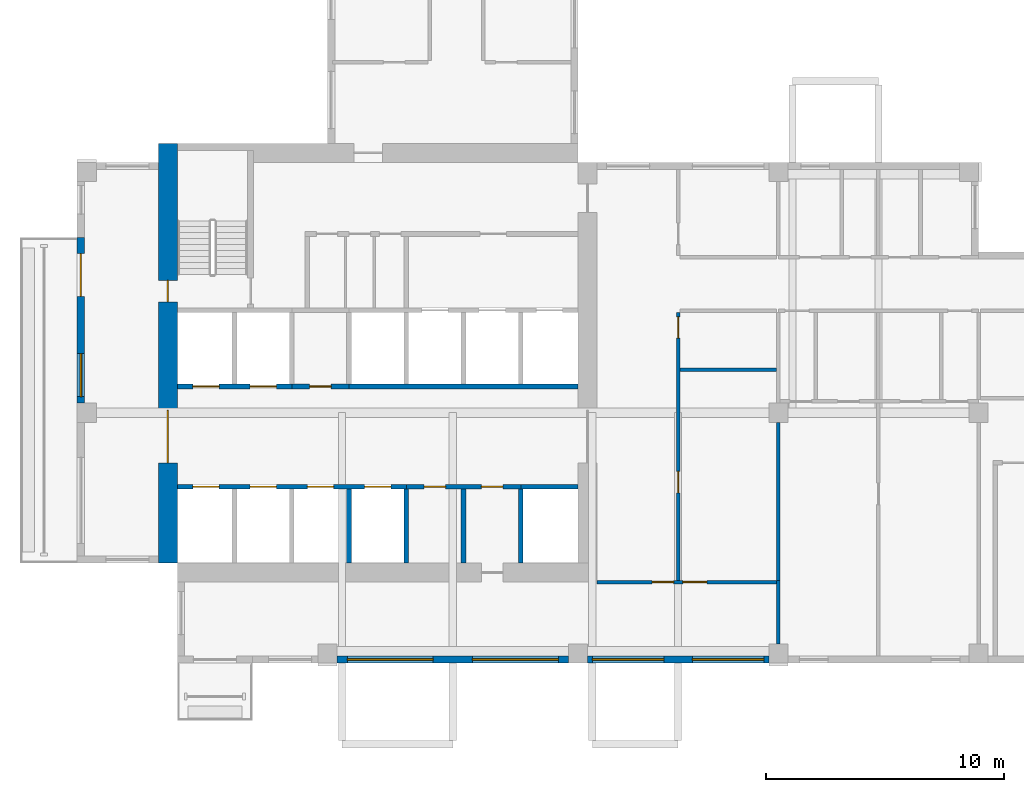
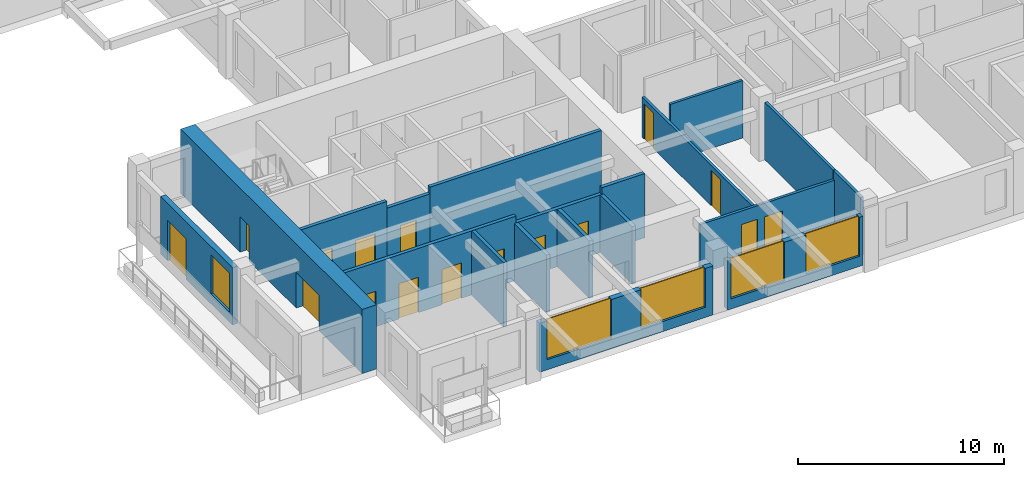
# One storey, part 2 of 12: 19 walls, 16 doors, 5 windows, 21 openings.
"""IFC4 building model written with IfcOpenShell, lengths in metres."""

from ifc_helpers import new_model, si_unit, direction, frame, frame_2d, origin, place, context, subcontext, project, spatial, rectangle, extrude, source, transform, mapped, material, layer, layer_set, type_object, element, fill, save


model = new_model("IFC4")

# Units and contexts
model_context = context("Model", 3, precision=1e-05, world=origin(), true_north=direction((0.0, 1.0)))
body_context = subcontext(model_context, "Body", "Model", "MODEL_VIEW")
ifc_project = project(units=[si_unit("LENGTHUNIT", "METRE"), si_unit("AREAUNIT", "SQUARE_METRE"), si_unit("VOLUMEUNIT", "CUBIC_METRE"), si_unit("PLANEANGLEUNIT", "RADIAN"), si_unit("MASSUNIT", "GRAM", prefix="KILO")], contexts=[model_context])

# Site, building, storey
site_placement = place(None, origin())
site = spatial("IfcSite", under=ifc_project, at=site_placement, CompositionType="ELEMENT")
building_placement = place(site_placement, origin())
building = spatial("IfcBuilding", under=site, at=building_placement, Name="Aurelian Terraces", CompositionType="ELEMENT")
storey_placement = place(building_placement, frame((0.0, 0.0, 238.6)))
storey = spatial("IfcBuildingStorey", under=building, at=storey_placement, Name="L54", CompositionType="ELEMENT", Elevation=238.6)

# Wall, openings, doors
ifc_material_1 = material(Name="Concrete fc' 70 MPa", Category="concrete")
ifc_layer_1 = layer(ifc_material_1, 0.8)
ifc_layer_set_1 = layer_set([ifc_layer_1], Name="CORE WALL 800 FC70")
wall_type_1 = type_object("IfcWallType", Name="CORE WALL 800 FC70", PredefinedType="SHEAR", material=ifc_layer_set_1)
shared_shape_1 = source(origin(), body_context, "Body", "SweptSolid", [
    extrude(rectangle(XDim=17.6, YDim=0.8, at=frame_2d((8.8, 0.0))), origin(), (0.0, 0.0, 1.0), 3.8),
])
wall_1_placement = place(storey_placement, frame((3.8, 4.2, 0.0), z_axis=(0.0, 0.0, 1.0), x_axis=(0.0, 1.0, 0.0)))
wall_1 = element("IfcWall", 1, at=wall_1_placement, inside=storey, type_object=wall_type_1, Name="Core wall W L54", PredefinedType="SHEAR", context=body_context, shape_type="MappedRepresentation", body=[
    mapped(shared_shape_1, transform((0.0, 0.0, 0.0), scale=1.0)),
])
shared_shape_2 = source(origin(), body_context, "Body", "SweptSolid", [
    extrude(rectangle(XDim=2.2, YDim=2.1, at=frame_2d((1.1, 1.05))), frame((0.0, 0.41, 0.0), z_axis=(0.0, -1.0, 0.0), x_axis=(1.0, 0.0, 0.0)), (0.0, 0.0, 1.0), 0.82),
])
opening_1_placement = place(wall_1_placement, frame((4.2, 0.0, 0.0)))
opening_1 = element("IfcOpeningElement", 2, at=opening_1_placement, cuts=wall_1, Name="Opening 65724", PredefinedType="OPENING", context=body_context, shape_type="MappedRepresentation", body=[
    mapped(shared_shape_2, transform((0.0, 0.0, 0.0), scale=1.0)),
])
shared_shape_3 = source(origin(), body_context, "Body", "SweptSolid", [
    extrude(rectangle(XDim=0.9, YDim=2.1, at=frame_2d((0.45, 1.05))), frame((0.0, 0.41, 0.0), z_axis=(0.0, -1.0, 0.0), x_axis=(1.0, 0.0, 0.0)), (0.0, 0.0, 1.0), 0.82),
])
opening_2_placement = place(wall_1_placement, frame((10.95, 0.0, 0.0)))
opening_2 = element("IfcOpeningElement", 3, at=opening_2_placement, cuts=wall_1, Name="Opening 65728", PredefinedType="OPENING", context=body_context, shape_type="MappedRepresentation", body=[
    mapped(shared_shape_3, transform((0.0, 0.0, 0.0), scale=1.0)),
])
ifc_material_2 = material(Name="Steel door leaf", Category="steel")
door_type_1 = type_object("IfcDoorType", Name="Core service door 900x2100", OperationType="SINGLE_SWING_LEFT", PredefinedType="DOOR", material=ifc_material_2)
shared_shape_4 = source(origin(), body_context, "Body", "SweptSolid", [
    extrude(rectangle(XDim=0.9, YDim=2.1, at=frame_2d((0.45, 1.05))), frame((0.0, 0.025, 0.0), z_axis=(0.0, -1.0, 0.0), x_axis=(1.0, 0.0, 0.0)), (0.0, 0.0, 1.0), 0.05),
])
door_1_placement = place(opening_2_placement, origin())
door_1 = element("IfcDoor", 4, at=door_1_placement, inside=storey, type_object=door_type_1, Name="Core door 65728", OperationType="SINGLE_SWING_LEFT", OverallHeight=2.1, OverallWidth=0.9, PredefinedType="DOOR", context=body_context, shape_type="MappedRepresentation", body=[
    mapped(shared_shape_4, transform((0.0, 0.0, 0.0), scale=1.0)),
])
fill(opening_2, door_1)
door_type_2 = type_object("IfcDoorType", Name="Core double door 2200x2100", OperationType="DOUBLE_DOOR_SINGLE_SWING", PredefinedType="DOOR", material=ifc_material_2)
shared_shape_5 = source(origin(), body_context, "Body", "SweptSolid", [
    extrude(rectangle(XDim=2.2, YDim=2.1, at=frame_2d((1.1, 1.05))), frame((0.0, 0.025, 0.0), z_axis=(0.0, -1.0, 0.0), x_axis=(1.0, 0.0, 0.0)), (0.0, 0.0, 1.0), 0.05),
])
door_2_placement = place(opening_1_placement, origin())
door_2 = element("IfcDoor", 5, at=door_2_placement, inside=storey, type_object=door_type_2, Name="Core door 65724", OperationType="DOUBLE_DOOR_SINGLE_SWING", OverallHeight=2.1, OverallWidth=2.2, PredefinedType="DOOR", context=body_context, shape_type="MappedRepresentation", body=[
    mapped(shared_shape_5, transform((0.0, 0.0, 0.0), scale=1.0)),
])
fill(opening_1, door_2)

# Wall, openings, windows
ifc_material_3 = material(Name="Terracotta rainscreen cladding", Category="masonry")
ifc_layer_2 = layer(ifc_material_3, 0.3)
ifc_layer_set_2 = layer_set([ifc_layer_2], Name="EW-300")
wall_type_2 = type_object("IfcWallType", Name="EW-300", PredefinedType="STANDARD", material=ifc_layer_set_2)
shared_shape_6 = source(origin(), body_context, "Body", "SweptSolid", [
    extrude(rectangle(XDim=7.6, YDim=0.3, at=frame_2d((3.8, 0.0))), origin(), (0.0, 0.0, 1.0), 2.9),
])
wall_2_placement = place(storey_placement, frame((21.4, 0.15, 0.0), z_axis=(0.0, 0.0, 1.0), x_axis=(1.0, 0.0, 0.0)))
wall_2 = element("IfcWall", 6, at=wall_2_placement, inside=storey, type_object=wall_type_2, Name="External wall L54 F01.4", PredefinedType="STANDARD", context=body_context, shape_type="MappedRepresentation", body=[
    mapped(shared_shape_6, transform((0.0, 0.0, 0.0), scale=1.0)),
])
shared_shape_7 = source(origin(), body_context, "Body", "SweptSolid", [
    extrude(rectangle(XDim=3.0, YDim=2.3, at=frame_2d((1.5, 1.15))), frame((0.0, 0.16, 0.0), z_axis=(0.0, -1.0, 0.0), x_axis=(1.0, 0.0, 0.0)), (0.0, 0.0, 1.0), 0.32),
])
opening_3_placement = place(wall_2_placement, frame((0.2, 0.0, 0.6)))
opening_3 = element("IfcOpeningElement", 7, at=opening_3_placement, cuts=wall_2, Name="Opening W3023", PredefinedType="OPENING", context=body_context, shape_type="MappedRepresentation", body=[
    mapped(shared_shape_7, transform((0.0, 0.0, 0.0), scale=1.0)),
])
opening_4_placement = place(wall_2_placement, frame((4.4, 0.0, 0.6)))
opening_4 = element("IfcOpeningElement", 8, at=opening_4_placement, cuts=wall_2, Name="Opening W3023", PredefinedType="OPENING", context=body_context, shape_type="MappedRepresentation", body=[
    mapped(shared_shape_7, transform((0.0, 0.0, 0.0), scale=1.0)),
])
ifc_material_4 = material(Name="Clear glazing", Category="glass")
window_type_1 = type_object("IfcWindowType", Name="W-3000x2300", PartitioningType="SINGLE_PANEL", PredefinedType="WINDOW", material=ifc_material_4)
shared_shape_8 = source(origin(), body_context, "Body", "SweptSolid", [
    extrude(rectangle(XDim=3.0, YDim=2.3, at=frame_2d((1.5, 1.15))), frame((0.0, 0.03, 0.0), z_axis=(0.0, -1.0, 0.0), x_axis=(1.0, 0.0, 0.0)), (0.0, 0.0, 1.0), 0.06),
])
window_1_placement = place(opening_3_placement, origin())
window_1 = element("IfcWindow", 9, at=window_1_placement, inside=storey, type_object=window_type_1, Name="Window L54 L54-F01-04-0", OverallHeight=2.3, OverallWidth=3.0, PartitioningType="SINGLE_PANEL", PredefinedType="WINDOW", context=body_context, shape_type="MappedRepresentation", body=[
    mapped(shared_shape_8, transform((0.0, 0.0, 0.0), scale=1.0)),
])
fill(opening_3, window_1)
window_2_placement = place(opening_4_placement, origin())
window_2 = element("IfcWindow", 10, at=window_2_placement, inside=storey, type_object=window_type_1, Name="Window L54 L54-F01-04-1", OverallHeight=2.3, OverallWidth=3.0, PartitioningType="SINGLE_PANEL", PredefinedType="WINDOW", context=body_context, shape_type="MappedRepresentation", body=[
    mapped(shared_shape_8, transform((0.0, 0.0, 0.0), scale=1.0)),
])
fill(opening_4, window_2)

shared_shape_9 = source(origin(), body_context, "Body", "SweptSolid", [
    extrude(rectangle(XDim=9.7, YDim=0.3, at=frame_2d((4.85, 0.0))), origin(), (0.0, 0.0, 1.0), 2.9),
])
wall_3_placement = place(storey_placement, frame((10.9, 0.15, 0.0), z_axis=(0.0, 0.0, 1.0), x_axis=(1.0, 0.0, 0.0)))
wall_3 = element("IfcWall", 11, at=wall_3_placement, inside=storey, type_object=wall_type_2, Name="External wall L54 F01.3", PredefinedType="STANDARD", context=body_context, shape_type="MappedRepresentation", body=[
    mapped(shared_shape_9, transform((0.0, 0.0, 0.0), scale=1.0)),
])
shared_shape_10 = source(origin(), body_context, "Body", "SweptSolid", [
    extrude(rectangle(XDim=3.6, YDim=2.3, at=frame_2d((1.8, 1.15))), frame((0.0, 0.16, 0.0), z_axis=(0.0, -1.0, 0.0), x_axis=(1.0, 0.0, 0.0)), (0.0, 0.0, 1.0), 0.32),
])
opening_5_placement = place(wall_3_placement, frame((0.425, 0.0, 0.6)))
opening_5 = element("IfcOpeningElement", 12, at=opening_5_placement, cuts=wall_3, Name="Opening W3623", PredefinedType="OPENING", context=body_context, shape_type="MappedRepresentation", body=[
    mapped(shared_shape_10, transform((0.0, 0.0, 0.0), scale=1.0)),
])
opening_6_placement = place(wall_3_placement, frame((5.675, 0.0, 0.6)))
opening_6 = element("IfcOpeningElement", 13, at=opening_6_placement, cuts=wall_3, Name="Opening W3623", PredefinedType="OPENING", context=body_context, shape_type="MappedRepresentation", body=[
    mapped(shared_shape_10, transform((0.0, 0.0, 0.0), scale=1.0)),
])
window_type_2 = type_object("IfcWindowType", Name="W-3600x2300", PartitioningType="SINGLE_PANEL", PredefinedType="WINDOW", material=ifc_material_4)
shared_shape_11 = source(origin(), body_context, "Body", "SweptSolid", [
    extrude(rectangle(XDim=3.6, YDim=2.3, at=frame_2d((1.8, 1.15))), frame((0.0, 0.03, 0.0), z_axis=(0.0, -1.0, 0.0), x_axis=(1.0, 0.0, 0.0)), (0.0, 0.0, 1.0), 0.06),
])
window_3_placement = place(opening_5_placement, origin())
window_3 = element("IfcWindow", 14, at=window_3_placement, inside=storey, type_object=window_type_2, Name="Window L54 L54-F01-03-0", OverallHeight=2.3, OverallWidth=3.6, PartitioningType="SINGLE_PANEL", PredefinedType="WINDOW", context=body_context, shape_type="MappedRepresentation", body=[
    mapped(shared_shape_11, transform((0.0, 0.0, 0.0), scale=1.0)),
])
fill(opening_5, window_3)
window_4_placement = place(opening_6_placement, origin())
window_4 = element("IfcWindow", 15, at=window_4_placement, inside=storey, type_object=window_type_2, Name="Window L54 L54-F01-03-1", OverallHeight=2.3, OverallWidth=3.6, PartitioningType="SINGLE_PANEL", PredefinedType="WINDOW", context=body_context, shape_type="MappedRepresentation", body=[
    mapped(shared_shape_11, transform((0.0, 0.0, 0.0), scale=1.0)),
])
fill(opening_6, window_4)

# Wall, openings, door, window
shared_shape_12 = source(origin(), body_context, "Body", "SweptSolid", [
    extrude(rectangle(XDim=6.95, YDim=0.3, at=frame_2d((3.475, 0.0))), origin(), (0.0, 0.0, 1.0), 3.4),
])
wall_4_placement = place(storey_placement, frame((0.15, 17.85, 0.0), z_axis=(0.0, 0.0, 1.0), x_axis=(0.0, -1.0, 0.0)))
wall_4 = element("IfcWall", 16, at=wall_4_placement, inside=storey, type_object=wall_type_2, Name="External wall L54 F22.38", PredefinedType="STANDARD", context=body_context, shape_type="MappedRepresentation", body=[
    mapped(shared_shape_12, transform((0.0, 0.0, 0.0), scale=1.0)),
])
shared_shape_13 = source(origin(), body_context, "Body", "SweptSolid", [
    extrude(rectangle(XDim=1.8, YDim=2.4, at=frame_2d((0.9, 1.2))), frame((0.0, 0.16, 0.0), z_axis=(0.0, -1.0, 0.0), x_axis=(1.0, 0.0, 0.0)), (0.0, 0.0, 1.0), 0.32),
])
opening_7_placement = place(wall_4_placement, frame((0.675, 0.0, 0.0)))
opening_7 = element("IfcOpeningElement", 17, at=opening_7_placement, cuts=wall_4, Name="Opening 85405", PredefinedType="OPENING", context=body_context, shape_type="MappedRepresentation", body=[
    mapped(shared_shape_13, transform((0.0, 0.0, 0.0), scale=1.0)),
])
shared_shape_14 = source(origin(), body_context, "Body", "SweptSolid", [
    extrude(rectangle(XDim=1.8, YDim=2.3, at=frame_2d((0.9, 1.15))), frame((0.0, 0.16, 0.0), z_axis=(0.0, -1.0, 0.0), x_axis=(1.0, 0.0, 0.0)), (0.0, 0.0, 1.0), 0.32),
])
opening_8_placement = place(wall_4_placement, frame((4.875, 0.0, 0.6)))
opening_8 = element("IfcOpeningElement", 18, at=opening_8_placement, cuts=wall_4, Name="Opening W1823", PredefinedType="OPENING", context=body_context, shape_type="MappedRepresentation", body=[
    mapped(shared_shape_14, transform((0.0, 0.0, 0.0), scale=1.0)),
])
door_type_3 = type_object("IfcDoorType", Name="BD-1800x2400", OperationType="SLIDING_TO_LEFT", PredefinedType="DOOR", material=ifc_material_4)
shared_shape_15 = source(origin(), body_context, "Body", "SweptSolid", [
    extrude(rectangle(XDim=1.8, YDim=2.4, at=frame_2d((0.9, 1.2))), frame((0.0, 0.025, 0.0), z_axis=(0.0, -1.0, 0.0), x_axis=(1.0, 0.0, 0.0)), (0.0, 0.0, 1.0), 0.05),
])
door_3_placement = place(opening_7_placement, origin())
door_3 = element("IfcDoor", 19, at=door_3_placement, inside=storey, type_object=door_type_3, Name="Balcony door L54 F22.38", OperationType="SLIDING_TO_LEFT", OverallHeight=2.4, OverallWidth=1.8, PredefinedType="DOOR", context=body_context, shape_type="MappedRepresentation", body=[
    mapped(shared_shape_15, transform((0.0, 0.0, 0.0), scale=1.0)),
])
fill(opening_7, door_3)
window_type_3 = type_object("IfcWindowType", Name="W-1800x2300", PartitioningType="SINGLE_PANEL", PredefinedType="WINDOW", material=ifc_material_4)
shared_shape_16 = source(origin(), body_context, "Body", "SweptSolid", [
    extrude(rectangle(XDim=1.8, YDim=2.3, at=frame_2d((0.9, 1.15))), frame((0.0, 0.03, 0.0), z_axis=(0.0, -1.0, 0.0), x_axis=(1.0, 0.0, 0.0)), (0.0, 0.0, 1.0), 0.06),
])
window_5_placement = place(opening_8_placement, origin())
window_5 = element("IfcWindow", 20, at=window_5_placement, inside=storey, type_object=window_type_3, Name="Window L54 L54-F22-38-1", OverallHeight=2.3, OverallWidth=1.8, PartitioningType="SINGLE_PANEL", PredefinedType="WINDOW", context=body_context, shape_type="MappedRepresentation", body=[
    mapped(shared_shape_16, transform((0.0, 0.0, 0.0), scale=1.0)),
])
fill(opening_8, window_5)

# Walls
ifc_material_5 = material(Name="Concrete fc' 40 MPa", Category="concrete")
ifc_layer_3 = layer(ifc_material_5, 0.2)
ifc_layer_set_3 = layer_set([ifc_layer_3], Name="Lift shaft wall 200")
wall_type_3 = type_object("IfcWallType", Name="Lift shaft wall 200", PredefinedType="SOLIDWALL", material=ifc_layer_set_3)
shared_shape_17 = source(origin(), body_context, "Body", "SweptSolid", [
    extrude(rectangle(XDim=3.1, YDim=0.2, at=frame_2d((1.55, 0.0))), origin(), (0.0, 0.0, 1.0), 3.8),
])
wall_5_placement = place(storey_placement, frame((11.4, 4.2, 0.0), z_axis=(0.0, 0.0, 1.0), x_axis=(0.0, 1.0, 0.0)))
element("IfcWall", 21, at=wall_5_placement, inside=storey, type_object=wall_type_3, Name="L54 core wall CD-A3", PredefinedType="SOLIDWALL", context=body_context, shape_type="MappedRepresentation", body=[
    mapped(shared_shape_17, transform((0.0, 0.0, 0.0), scale=1.0)),
])
shared_shape_18 = source(origin(), body_context, "Body", "SweptSolid", [
    extrude(rectangle(XDim=3.1, YDim=0.2, at=frame_2d((1.55, 0.0))), origin(), (0.0, 0.0, 1.0), 3.4),
])
for number, where, z_axis, x_axis, name in (
    (22, (13.8, 4.2, 0.0), (0.0, 0.0, 1.0), (0.0, 1.0, 0.0), "L54 core wall CD-A4"),
    (23, (18.6, 4.2, 0.0), (0.0, 0.0, 1.0), (0.0, 1.0, 0.0), "L54 core wall CD-A6"),
):
    element("IfcWall", number, at=place(storey_placement, frame(where, z_axis=z_axis, x_axis=x_axis)), inside=storey, type_object=wall_type_3, Name=name, PredefinedType="SOLIDWALL", context=body_context, shape_type="MappedRepresentation", body=[
        mapped(shared_shape_18, transform((0.0, 0.0, 0.0), scale=1.0)),
    ])

# Wall, openings, doors
shared_shape_19 = source(origin(), body_context, "Body", "SweptSolid", [
    extrude(rectangle(XDim=9.6, YDim=0.2, at=frame_2d((4.8, 0.0))), origin(), (0.0, 0.0, 1.0), 3.8),
])
wall_6_placement = place(storey_placement, frame((4.2, 7.4, 0.0), z_axis=(0.0, 0.0, 1.0), x_axis=(1.0, 0.0, 0.0)))
wall_6 = element("IfcWall", 24, at=wall_6_placement, inside=storey, type_object=wall_type_3, Name="L54 core wall CF-AF1", PredefinedType="SOLIDWALL", context=body_context, shape_type="MappedRepresentation", body=[
    mapped(shared_shape_19, transform((0.0, 0.0, 0.0), scale=1.0)),
])
shared_shape_20 = source(origin(), body_context, "Body", "SweptSolid", [
    extrude(rectangle(XDim=1.1, YDim=2.1, at=frame_2d((0.55, 1.05))), frame((0.0, 0.11, 0.0), z_axis=(0.0, -1.0, 0.0), x_axis=(1.0, 0.0, 0.0)), (0.0, 0.0, 1.0), 0.22),
])
opening_9_placement = place(wall_6_placement, frame((0.65, 0.0, 0.0)))
opening_9 = element("IfcOpeningElement", 25, at=opening_9_placement, cuts=wall_6, Name="Opening 65700", PredefinedType="OPENING", context=body_context, shape_type="MappedRepresentation", body=[
    mapped(shared_shape_20, transform((0.0, 0.0, 0.0), scale=1.0)),
])
opening_10_placement = place(wall_6_placement, frame((3.05, 0.0, 0.0)))
opening_10 = element("IfcOpeningElement", 26, at=opening_10_placement, cuts=wall_6, Name="Opening 65701", PredefinedType="OPENING", context=body_context, shape_type="MappedRepresentation", body=[
    mapped(shared_shape_20, transform((0.0, 0.0, 0.0), scale=1.0)),
])
opening_11_placement = place(wall_6_placement, frame((5.45, 0.0, 0.0)))
opening_11 = element("IfcOpeningElement", 27, at=opening_11_placement, cuts=wall_6, Name="Opening 65702", PredefinedType="OPENING", context=body_context, shape_type="MappedRepresentation", body=[
    mapped(shared_shape_20, transform((0.0, 0.0, 0.0), scale=1.0)),
])
opening_12_placement = place(wall_6_placement, frame((7.85, 0.0, 0.0)))
opening_12 = element("IfcOpeningElement", 28, at=opening_12_placement, cuts=wall_6, Name="Opening 65703", PredefinedType="OPENING", context=body_context, shape_type="MappedRepresentation", body=[
    mapped(shared_shape_20, transform((0.0, 0.0, 0.0), scale=1.0)),
])
ifc_material_6 = material(Name="Stainless steel", Category="steel")
door_type_4 = type_object("IfcDoorType", Name="Lift landing door 1100x2100", OperationType="SLIDING_TO_LEFT", PredefinedType="DOOR", material=ifc_material_6)
shared_shape_21 = source(origin(), body_context, "Body", "SweptSolid", [
    extrude(rectangle(XDim=1.1, YDim=2.1, at=frame_2d((0.55, 1.05))), frame((0.0, 0.025, 0.0), z_axis=(0.0, -1.0, 0.0), x_axis=(1.0, 0.0, 0.0)), (0.0, 0.0, 1.0), 0.05),
])
door_4_placement = place(opening_9_placement, origin())
door_4 = element("IfcDoor", 29, at=door_4_placement, inside=storey, type_object=door_type_4, Name="Lift landing door LM1 L54", OperationType="SLIDING_TO_LEFT", OverallHeight=2.1, OverallWidth=1.1, PredefinedType="DOOR", context=body_context, shape_type="MappedRepresentation", body=[
    mapped(shared_shape_21, transform((0.0, 0.0, 0.0), scale=1.0)),
])
fill(opening_9, door_4)
door_5_placement = place(opening_10_placement, origin())
door_5 = element("IfcDoor", 30, at=door_5_placement, inside=storey, type_object=door_type_4, Name="Lift landing door LM2 L54", OperationType="SLIDING_TO_LEFT", OverallHeight=2.1, OverallWidth=1.1, PredefinedType="DOOR", context=body_context, shape_type="MappedRepresentation", body=[
    mapped(shared_shape_21, transform((0.0, 0.0, 0.0), scale=1.0)),
])
fill(opening_10, door_5)
door_6_placement = place(opening_11_placement, origin())
door_6 = element("IfcDoor", 31, at=door_6_placement, inside=storey, type_object=door_type_4, Name="Lift landing door LM3 L54", OperationType="SLIDING_TO_LEFT", OverallHeight=2.1, OverallWidth=1.1, PredefinedType="DOOR", context=body_context, shape_type="MappedRepresentation", body=[
    mapped(shared_shape_21, transform((0.0, 0.0, 0.0), scale=1.0)),
])
fill(opening_11, door_6)
door_7_placement = place(opening_12_placement, origin())
door_7 = element("IfcDoor", 32, at=door_7_placement, inside=storey, type_object=door_type_4, Name="Lift landing door LM4 L54", OperationType="SLIDING_TO_LEFT", OverallHeight=2.1, OverallWidth=1.1, PredefinedType="DOOR", context=body_context, shape_type="MappedRepresentation", body=[
    mapped(shared_shape_21, transform((0.0, 0.0, 0.0), scale=1.0)),
])
fill(opening_12, door_7)

# Wall
wall_7_placement = place(storey_placement, frame((11.4, 11.6, 0.0), z_axis=(0.0, 0.0, 1.0), x_axis=(1.0, 0.0, 0.0)))
element("IfcWall", 33, at=wall_7_placement, inside=storey, type_object=wall_type_3, Name="L54 core wall CF-BF3", PredefinedType="SOLIDWALL", context=body_context, shape_type="MappedRepresentation", body=[
    mapped(shared_shape_19, transform((0.0, 0.0, 0.0), scale=1.0)),
])

# Wall, openings, doors
shared_shape_22 = source(origin(), body_context, "Body", "SweptSolid", [
    extrude(rectangle(XDim=4.8, YDim=0.2, at=frame_2d((2.4, 0.0))), origin(), (0.0, 0.0, 1.0), 3.8),
])
wall_8_placement = place(storey_placement, frame((4.2, 11.6, 0.0), z_axis=(0.0, 0.0, 1.0), x_axis=(1.0, 0.0, 0.0)))
wall_8 = element("IfcWall", 34, at=wall_8_placement, inside=storey, type_object=wall_type_3, Name="L54 core wall CF-BF1", PredefinedType="SOLIDWALL", context=body_context, shape_type="MappedRepresentation", body=[
    mapped(shared_shape_22, transform((0.0, 0.0, 0.0), scale=1.0)),
])
opening_13_placement = place(wall_8_placement, frame((0.65, 0.0, 0.0)))
opening_13 = element("IfcOpeningElement", 35, at=opening_13_placement, cuts=wall_8, Name="Opening 65706", PredefinedType="OPENING", context=body_context, shape_type="MappedRepresentation", body=[
    mapped(shared_shape_20, transform((0.0, 0.0, 0.0), scale=1.0)),
])
opening_14_placement = place(wall_8_placement, frame((3.05, 0.0, 0.0)))
opening_14 = element("IfcOpeningElement", 36, at=opening_14_placement, cuts=wall_8, Name="Opening 65707", PredefinedType="OPENING", context=body_context, shape_type="MappedRepresentation", body=[
    mapped(shared_shape_20, transform((0.0, 0.0, 0.0), scale=1.0)),
])
door_8_placement = place(opening_13_placement, origin())
door_8 = element("IfcDoor", 37, at=door_8_placement, inside=storey, type_object=door_type_4, Name="Lift landing door LM5 L54", OperationType="SLIDING_TO_LEFT", OverallHeight=2.1, OverallWidth=1.1, PredefinedType="DOOR", context=body_context, shape_type="MappedRepresentation", body=[
    mapped(shared_shape_21, transform((0.0, 0.0, 0.0), scale=1.0)),
])
fill(opening_13, door_8)
door_9_placement = place(opening_14_placement, origin())
door_9 = element("IfcDoor", 38, at=door_9_placement, inside=storey, type_object=door_type_4, Name="Lift landing door LM6 L54", OperationType="SLIDING_TO_LEFT", OverallHeight=2.1, OverallWidth=1.1, PredefinedType="DOOR", context=body_context, shape_type="MappedRepresentation", body=[
    mapped(shared_shape_21, transform((0.0, 0.0, 0.0), scale=1.0)),
])
fill(opening_14, door_9)

# Wall, opening, door
shared_shape_23 = source(origin(), body_context, "Body", "SweptSolid", [
    extrude(rectangle(XDim=2.4, YDim=0.2, at=frame_2d((1.2, 0.0))), origin(), (0.0, 0.0, 1.0), 3.4),
])
wall_9_placement = place(storey_placement, frame((9.0, 11.6, 0.0), z_axis=(0.0, 0.0, 1.0), x_axis=(1.0, 0.0, 0.0)))
wall_9 = element("IfcWall", 39, at=wall_9_placement, inside=storey, type_object=wall_type_3, Name="L54 core wall CF-BF2", PredefinedType="SOLIDWALL", context=body_context, shape_type="MappedRepresentation", body=[
    mapped(shared_shape_23, transform((0.0, 0.0, 0.0), scale=1.0)),
])
shared_shape_24 = source(origin(), body_context, "Body", "SweptSolid", [
    extrude(rectangle(XDim=0.9, YDim=2.1, at=frame_2d((0.45, 1.05))), frame((0.0, 0.11, 0.0), z_axis=(0.0, -1.0, 0.0), x_axis=(1.0, 0.0, 0.0)), (0.0, 0.0, 1.0), 0.22),
])
opening_15_placement = place(wall_9_placement, frame((0.75, 0.0, 0.0)))
opening_15 = element("IfcOpeningElement", 40, at=opening_15_placement, cuts=wall_9, Name="Opening 65708", PredefinedType="OPENING", context=body_context, shape_type="MappedRepresentation", body=[
    mapped(shared_shape_24, transform((0.0, 0.0, 0.0), scale=1.0)),
])
door_type_5 = type_object("IfcDoorType", Name="Core service door 900x2100 right", OperationType="SINGLE_SWING_RIGHT", PredefinedType="DOOR", material=ifc_material_2)
door_10_placement = place(opening_15_placement, origin())
door_10 = element("IfcDoor", 41, at=door_10_placement, inside=storey, type_object=door_type_5, Name="Room door 65708", OperationType="SINGLE_SWING_RIGHT", OverallHeight=2.1, OverallWidth=0.9, PredefinedType="DOOR", context=body_context, shape_type="MappedRepresentation", body=[
    mapped(shared_shape_4, transform((0.0, 0.0, 0.0), scale=1.0)),
])
fill(opening_15, door_10)

# Wall, openings, doors
shared_shape_25 = source(origin(), body_context, "Body", "SweptSolid", [
    extrude(rectangle(XDim=4.8, YDim=0.2, at=frame_2d((2.4, 0.0))), origin(), (0.0, 0.0, 1.0), 3.4),
])
wall_10_placement = place(storey_placement, frame((13.8, 7.4, 0.0), z_axis=(0.0, 0.0, 1.0), x_axis=(1.0, 0.0, 0.0)))
wall_10 = element("IfcWall", 42, at=wall_10_placement, inside=storey, type_object=wall_type_3, Name="L54 core wall CF-AF2", PredefinedType="SOLIDWALL", context=body_context, shape_type="MappedRepresentation", body=[
    mapped(shared_shape_25, transform((0.0, 0.0, 0.0), scale=1.0)),
])
opening_16_placement = place(wall_10_placement, frame((0.75, 0.0, 0.0)))
opening_16 = element("IfcOpeningElement", 43, at=opening_16_placement, cuts=wall_10, Name="Opening 65704", PredefinedType="OPENING", context=body_context, shape_type="MappedRepresentation", body=[
    mapped(shared_shape_24, transform((0.0, 0.0, 0.0), scale=1.0)),
])
opening_17_placement = place(wall_10_placement, frame((3.15, 0.0, 0.0)))
opening_17 = element("IfcOpeningElement", 44, at=opening_17_placement, cuts=wall_10, Name="Opening 65705", PredefinedType="OPENING", context=body_context, shape_type="MappedRepresentation", body=[
    mapped(shared_shape_24, transform((0.0, 0.0, 0.0), scale=1.0)),
])
door_11_placement = place(opening_16_placement, origin())
door_11 = element("IfcDoor", 45, at=door_11_placement, inside=storey, type_object=door_type_5, Name="Room door 65704", OperationType="SINGLE_SWING_RIGHT", OverallHeight=2.1, OverallWidth=0.9, PredefinedType="DOOR", context=body_context, shape_type="MappedRepresentation", body=[
    mapped(shared_shape_4, transform((0.0, 0.0, 0.0), scale=1.0)),
])
fill(opening_16, door_11)
door_12_placement = place(opening_17_placement, origin())
door_12 = element("IfcDoor", 46, at=door_12_placement, inside=storey, type_object=door_type_1, Name="Room door 65705", OperationType="SINGLE_SWING_LEFT", OverallHeight=2.1, OverallWidth=0.9, PredefinedType="DOOR", context=body_context, shape_type="MappedRepresentation", body=[
    mapped(shared_shape_4, transform((0.0, 0.0, 0.0), scale=1.0)),
])
fill(opening_17, door_12)

# Walls
shared_shape_26 = source(origin(), body_context, "Body", "SweptSolid", [
    extrude(rectangle(XDim=2.4, YDim=0.2, at=frame_2d((1.2, 0.0))), origin(), (0.0, 0.0, 1.0), 3.8),
])
wall_11_placement = place(storey_placement, frame((18.6, 7.4, 0.0), z_axis=(0.0, 0.0, 1.0), x_axis=(1.0, 0.0, 0.0)))
element("IfcWall", 47, at=wall_11_placement, inside=storey, type_object=wall_type_3, Name="L54 core wall CF-AF3", PredefinedType="SOLIDWALL", context=body_context, shape_type="MappedRepresentation", body=[
    mapped(shared_shape_26, transform((0.0, 0.0, 0.0), scale=1.0)),
])
ifc_material_7 = material(Name="Gypsum board on steel studs", Category="steel")
ifc_layer_4 = layer(ifc_material_7, 0.2)
ifc_layer_set_4 = layer_set([ifc_layer_4], Name="Core partition 200")
wall_type_4 = type_object("IfcWallType", Name="Core partition 200", PredefinedType="PARTITIONING", material=ifc_layer_set_4)
shared_shape_27 = source(origin(), body_context, "Body", "SweptSolid", [
    extrude(rectangle(XDim=3.1, YDim=0.2, at=frame_2d((1.55, 0.0))), origin(), (0.0, 0.0, 1.0), 3.4),
])
wall_12_placement = place(storey_placement, frame((16.2, 4.2, 0.0), z_axis=(0.0, 0.0, 1.0), x_axis=(0.0, 1.0, 0.0)))
element("IfcWall", 48, at=wall_12_placement, inside=storey, type_object=wall_type_4, Name="L54 core wall CS-A5", PredefinedType="PARTITIONING", context=body_context, shape_type="MappedRepresentation", body=[
    mapped(shared_shape_27, transform((0.0, 0.0, 0.0), scale=1.0)),
])

# Wall, openings, doors
ifc_layer_5 = layer(ifc_material_7, 0.15)
ifc_layer_set_5 = layer_set([ifc_layer_5], Name="Partition 150")
wall_type_5 = type_object("IfcWallType", Name="Partition 150", PredefinedType="PARTITIONING", material=ifc_layer_set_5)
shared_shape_28 = source(origin(), body_context, "Body", "SweptSolid", [
    extrude(rectangle(XDim=7.525, YDim=0.15, at=frame_2d((3.7625, 0.0))), origin(), (0.0, 0.0, 1.0), 2.9),
])
wall_13_placement = place(storey_placement, frame((21.8, 3.4, 0.0), z_axis=(0.0, 0.0, 1.0), x_axis=(1.0, 0.0, 0.0)))
wall_13 = element("IfcWall", 49, at=wall_13_placement, inside=storey, type_object=wall_type_5, Name="Partition", PredefinedType="PARTITIONING", context=body_context, shape_type="MappedRepresentation", body=[
    mapped(shared_shape_28, transform((0.0, 0.0, 0.0), scale=1.0)),
])
shared_shape_29 = source(origin(), body_context, "Body", "SweptSolid", [
    extrude(rectangle(XDim=1.0, YDim=2.1, at=frame_2d((0.5, 1.05))), frame((0.0, 0.085, 0.0), z_axis=(0.0, -1.0, 0.0), x_axis=(1.0, 0.0, 0.0)), (0.0, 0.0, 1.0), 0.17),
])
opening_18_placement = place(wall_13_placement, frame((3.6, 0.0, 0.0)))
opening_18 = element("IfcOpeningElement", 50, at=opening_18_placement, cuts=wall_13, Name="Opening 754004", PredefinedType="OPENING", context=body_context, shape_type="MappedRepresentation", body=[
    mapped(shared_shape_29, transform((0.0, 0.0, 0.0), scale=1.0)),
])
shared_shape_30 = source(origin(), body_context, "Body", "SweptSolid", [
    extrude(rectangle(XDim=0.9, YDim=2.1, at=frame_2d((0.45, 1.05))), frame((0.0, 0.085, 0.0), z_axis=(0.0, -1.0, 0.0), x_axis=(1.0, 0.0, 0.0)), (0.0, 0.0, 1.0), 0.17),
])
opening_19_placement = place(wall_13_placement, frame((2.312, 0.0, 0.0)))
opening_19 = element("IfcOpeningElement", 51, at=opening_19_placement, cuts=wall_13, Name="Opening 754038", PredefinedType="OPENING", context=body_context, shape_type="MappedRepresentation", body=[
    mapped(shared_shape_30, transform((0.0, 0.0, 0.0), scale=1.0)),
])
ifc_material_8 = material(Name="Timber door leaf", Category="wood")
door_type_6 = type_object("IfcDoorType", Name="Room door 1000x2100 right", OperationType="SINGLE_SWING_RIGHT", PredefinedType="DOOR", material=ifc_material_8)
shared_shape_31 = source(origin(), body_context, "Body", "SweptSolid", [
    extrude(rectangle(XDim=1.0, YDim=2.1, at=frame_2d((0.5, 1.05))), frame((0.0, 0.025, 0.0), z_axis=(0.0, -1.0, 0.0), x_axis=(1.0, 0.0, 0.0)), (0.0, 0.0, 1.0), 0.05),
])
door_13_placement = place(opening_18_placement, origin())
door_13 = element("IfcDoor", 52, at=door_13_placement, inside=storey, type_object=door_type_6, Name="Door 754004", OperationType="SINGLE_SWING_RIGHT", OverallHeight=2.1, OverallWidth=1.0, PredefinedType="DOOR", context=body_context, shape_type="MappedRepresentation", body=[
    mapped(shared_shape_31, transform((0.0, 0.0, 0.0), scale=1.0)),
])
fill(opening_18, door_13)
door_type_7 = type_object("IfcDoorType", Name="Room door 900x2100 left", OperationType="SINGLE_SWING_LEFT", PredefinedType="DOOR", material=ifc_material_8)
door_14_placement = place(opening_19_placement, origin())
door_14 = element("IfcDoor", 53, at=door_14_placement, inside=storey, type_object=door_type_7, Name="Door 754038", OperationType="SINGLE_SWING_LEFT", OverallHeight=2.1, OverallWidth=0.9, PredefinedType="DOOR", context=body_context, shape_type="MappedRepresentation", body=[
    mapped(shared_shape_4, transform((0.0, 0.0, 0.0), scale=1.0)),
])
fill(opening_19, door_14)

shared_shape_32 = source(origin(), body_context, "Body", "SweptSolid", [
    extrude(rectangle(XDim=11.225, YDim=0.15, at=frame_2d((5.6125, 0.0))), origin(), (0.0, 0.0, 1.0), 2.4),
])
wall_14_placement = place(storey_placement, frame((25.2, 14.7, 0.0), z_axis=(0.0, 0.0, 1.0), x_axis=(0.0, -1.0, 0.0)))
wall_14 = element("IfcWall", 54, at=wall_14_placement, inside=storey, type_object=wall_type_5, Name="Partition", PredefinedType="PARTITIONING", context=body_context, shape_type="MappedRepresentation", body=[
    mapped(shared_shape_32, transform((0.0, 0.0, 0.0), scale=1.0)),
])
opening_20_placement = place(wall_14_placement, frame((6.6625, 0.0, 0.0)))
opening_20 = element("IfcOpeningElement", 55, at=opening_20_placement, cuts=wall_14, Name="Opening 754001", PredefinedType="OPENING", context=body_context, shape_type="MappedRepresentation", body=[
    mapped(shared_shape_30, transform((0.0, 0.0, 0.0), scale=1.0)),
])
opening_21_placement = place(wall_14_placement, frame((0.175, 0.0, 0.0)))
opening_21 = element("IfcOpeningElement", 56, at=opening_21_placement, cuts=wall_14, Name="Opening 754002", PredefinedType="OPENING", context=body_context, shape_type="MappedRepresentation", body=[
    mapped(shared_shape_30, transform((0.0, 0.0, 0.0), scale=1.0)),
])
door_15_placement = place(opening_20_placement, origin())
door_15 = element("IfcDoor", 57, at=door_15_placement, inside=storey, type_object=door_type_7, Name="Door 754001", OperationType="SINGLE_SWING_LEFT", OverallHeight=2.1, OverallWidth=0.9, PredefinedType="DOOR", context=body_context, shape_type="MappedRepresentation", body=[
    mapped(shared_shape_4, transform((0.0, 0.0, 0.0), scale=1.0)),
])
fill(opening_20, door_15)
door_type_8 = type_object("IfcDoorType", Name="Room door 900x2100 right", OperationType="SINGLE_SWING_RIGHT", PredefinedType="DOOR", material=ifc_material_8)
door_16_placement = place(opening_21_placement, origin())
door_16 = element("IfcDoor", 58, at=door_16_placement, inside=storey, type_object=door_type_8, Name="Door 754002", OperationType="SINGLE_SWING_RIGHT", OverallHeight=2.1, OverallWidth=0.9, PredefinedType="DOOR", context=body_context, shape_type="MappedRepresentation", body=[
    mapped(shared_shape_4, transform((0.0, 0.0, 0.0), scale=1.0)),
])
fill(opening_21, door_16)

# Walls
shared_shape_33 = source(origin(), body_context, "Body", "SweptSolid", [
    extrude(rectangle(XDim=4.05, YDim=0.15, at=frame_2d((2.025, 0.0))), origin(), (0.0, 0.0, 1.0), 3.4),
])
wall_15_placement = place(storey_placement, frame((29.325, 12.3, 0.0), z_axis=(0.0, 0.0, 1.0), x_axis=(-1.0, 0.0, 0.0)))
element("IfcWall", 59, at=wall_15_placement, inside=storey, type_object=wall_type_5, Name="Partition", PredefinedType="PARTITIONING", context=body_context, shape_type="MappedRepresentation", body=[
    mapped(shared_shape_33, transform((0.0, 0.0, 0.0), scale=1.0)),
])
shared_shape_34 = source(origin(), body_context, "Body", "SweptSolid", [
    extrude(rectangle(XDim=6.626, YDim=0.15, at=frame_2d((3.313, 0.0))), origin(), (0.0, 0.0, 1.0), 3.4),
])
wall_16_placement = place(storey_placement, frame((29.4, 3.475, 0.0), z_axis=(0.0, 0.0, 1.0), x_axis=(0.0, 1.0, 0.0)))
element("IfcWall", 60, at=wall_16_placement, inside=storey, type_object=wall_type_5, Name="Partition", PredefinedType="PARTITIONING", context=body_context, shape_type="MappedRepresentation", body=[
    mapped(shared_shape_34, transform((0.0, 0.0, 0.0), scale=1.0)),
])
ifc_layer_6 = layer(ifc_material_7, 0.15)
ifc_layer_set_6 = layer_set([ifc_layer_6], Name="Fire partition 150")
wall_type_6 = type_object("IfcWallType", Name="Fire partition 150", PredefinedType="PARTITIONING", material=ifc_layer_set_6)
shared_shape_35 = source(origin(), body_context, "Body", "SweptSolid", [
    extrude(rectangle(XDim=2.656, YDim=0.15, at=frame_2d((1.328, 0.0))), origin(), (0.0, 0.0, 1.0), 3.4),
])
wall_17_placement = place(storey_placement, frame((29.4, 0.799, 0.0), z_axis=(0.0, 0.0, 1.0), x_axis=(0.0, 1.0, 0.0)))
element("IfcWall", 61, at=wall_17_placement, inside=storey, type_object=wall_type_6, Name="Party wall", PredefinedType="PARTITIONING", context=body_context, shape_type="MappedRepresentation", body=[
    mapped(shared_shape_35, transform((0.0, 0.0, 0.0), scale=1.0)),
])

save(model, "model.ifc")
